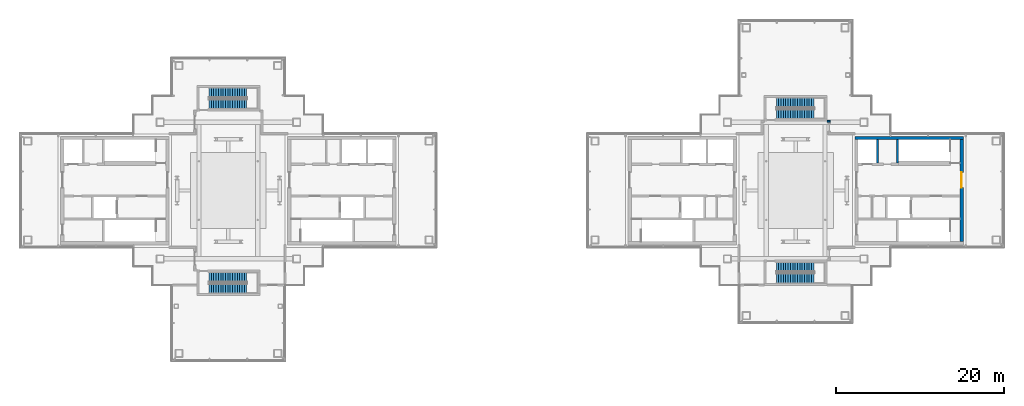
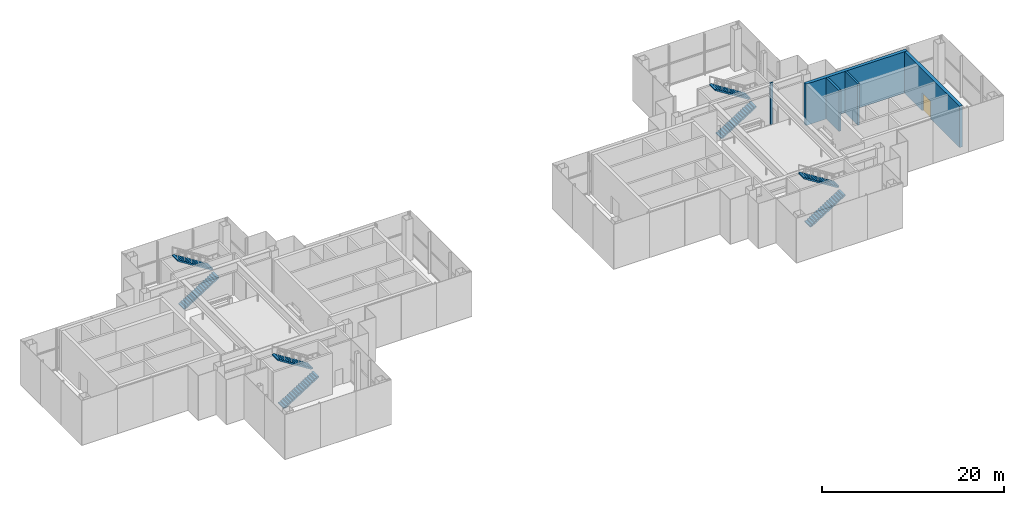
# One storey, part 12 of 17: 8 stair flights, 5 walls, 1 door, 1 opening, 4 elements without a shape of their own.
"""IFC4 building model written with IfcOpenShell, lengths in metres."""

import ifcopenshell
import ifcopenshell.guid

model = None  # the IFC model being written
_history = None  # IfcOwnerHistory: only IFC2X3 demands one
_inside = {}  # id of a spatial element -> (the spatial element, [elements in it])
_under = {}  # id of a project, library or spatial element -> (it, [spatial elements below it])
_declared = {}  # id of a project -> (the project, [libraries it declares])
_typed = {}  # id of a type object -> (the type object, [elements of that type])
_made_of = {}  # id of a material, layer set ... -> (it, [elements and type objects made of it])


def new_model(schema):
    """Start an empty IFC model of exactly this schema.

    Asked for "IFC4X3", IfcOpenShell would pick the latest addendum, in which some entities
    have other attributes; the version numbers below select the first issue.
    IFC2X3 requires an IfcOwnerHistory on every rooted entity: one is made here for all.
    """
    global model, _history
    if schema == "IFC4X3":
        model = ifcopenshell.file(schema_version=(4, 3, 0, 0))
    else:
        model = ifcopenshell.file(schema=schema)
    _inside.clear()
    _under.clear()
    _declared.clear()
    _typed.clear()
    _made_of.clear()
    _history = None
    if model.schema == "IFC2X3":
        org = make("IfcOrganization", Name="unknown")
        user = make(
            "IfcPersonAndOrganization",
            ThePerson=make("IfcPerson", FamilyName="unknown"),
            TheOrganization=org,
        )
        app = make(
            "IfcApplication",
            ApplicationDeveloper=org,
            Version="unknown",
            ApplicationFullName="unknown",
            ApplicationIdentifier="unknown",
        )
        _history = make(
            "IfcOwnerHistory",
            OwningUser=user,
            OwningApplication=app,
            ChangeAction="ADDED",
            CreationDate=0,
        )
    return model


def make(cls, **values):
    """One entity of the class cls with the attributes given. An attribute that is None is left unset."""
    return model.create_entity(
        cls, **{name: value for name, value in values.items() if value is not None}
    )


def rooted(cls, **values):
    """An entity with a GlobalId (a new one), such as an element, a storey or a relation."""
    return make(cls, GlobalId=ifcopenshell.guid.new(), OwnerHistory=_history, **values)


def si_unit(unit_type, name, prefix=None):
    """IfcSIUnit, for example si_unit("LENGTHUNIT", "METRE", prefix="MILLI")."""
    return make("IfcSIUnit", UnitType=unit_type, Prefix=prefix, Name=name)


def assignment(units):
    """IfcUnitAssignment: the units of a project."""
    return None if units is None else make("IfcUnitAssignment", Units=units)


def point(xyz):
    """IfcCartesianPoint."""
    return None if xyz is None else make("IfcCartesianPoint", Coordinates=xyz)


def direction(xyz):
    """IfcDirection."""
    return None if xyz is None else make("IfcDirection", DirectionRatios=xyz)


def frame(location, z_axis=None, x_axis=None):
    """IfcAxis2Placement3D, a coordinate frame: its origin and axes. An axis left out is left unset."""
    return make(
        "IfcAxis2Placement3D",
        Location=point(location),
        Axis=direction(z_axis),
        RefDirection=direction(x_axis),
    )


def frame_2d(location, x_axis=None):
    """IfcAxis2Placement2D, a coordinate frame in the plane: its origin and x axis."""
    return make(
        "IfcAxis2Placement2D", Location=point(location), RefDirection=direction(x_axis)
    )


def origin():
    """The frame at (0, 0, 0) with its axes left unset."""
    return frame((0.0, 0.0, 0.0))


def place(relative_to, where):
    """IfcLocalPlacement: puts the frame where relative to a parent placement (None: the world)."""
    return make(
        "IfcLocalPlacement", PlacementRelTo=relative_to, RelativePlacement=where
    )


def context(
    kind, dimensions, precision=None, world=None, true_north=None, identifier=None
):
    """IfcGeometricRepresentationContext, for example the 3D "Model" context."""
    return make(
        "IfcGeometricRepresentationContext",
        ContextIdentifier=identifier,
        ContextType=kind,
        CoordinateSpaceDimension=dimensions,
        Precision=precision,
        WorldCoordinateSystem=world,
        TrueNorth=true_north,
    )


def subcontext(parent, identifier, kind, view, scale=None):
    """IfcGeometricRepresentationSubContext, for example "Body" below "Model"."""
    return make(
        "IfcGeometricRepresentationSubContext",
        ContextIdentifier=identifier,
        ContextType=kind,
        ParentContext=parent,
        TargetScale=scale,
        TargetView=view,
    )


def project(units=None, contexts=None):
    """IfcProject with its units and contexts."""
    return rooted(
        "IfcProject",
        Name="project",
        RepresentationContexts=contexts,
        UnitsInContext=assignment(units),
    )


def spatial(cls, under=None, at=None, **own):
    """A site, building, storey or space (cls), placed at a placement, below another one or the project."""
    s = rooted(cls, ObjectPlacement=at, **own)
    if under is not None:
        _under.setdefault(under.id(), (under, []))[1].append(s)
    return s


def polyline(points):
    """IfcPolyline through the points."""
    return make("IfcPolyline", Points=[point(p) for p in points])


def profile(cls, at=None, kind="AREA", **sizes):
    """A parametric profile (cls). Its sizes go by their IFC names, for example OverallWidth=200.0."""
    return make(cls, ProfileType=kind, Position=at, **sizes)


def rectangle(**sizes):
    """IfcRectangleProfileDef."""
    return profile("IfcRectangleProfileDef", **sizes)


def outline(outer, holes=None, kind="AREA"):
    """IfcArbitraryClosedProfileDef: a profile drawn as a closed curve; with holes, ...WithVoids."""
    if holes is None:
        return make("IfcArbitraryClosedProfileDef", ProfileType=kind, OuterCurve=outer)
    return make(
        "IfcArbitraryProfileDefWithVoids",
        ProfileType=kind,
        OuterCurve=outer,
        InnerCurves=holes,
    )


def extrude(swept, where, along, depth):
    """IfcExtrudedAreaSolid: the profile swept, set in the frame where, extruded along a direction by depth."""
    return make(
        "IfcExtrudedAreaSolid",
        SweptArea=swept,
        Position=where,
        ExtrudedDirection=direction(along),
        Depth=depth,
    )


def shape(context_of_items, identifier, shape_type, items):
    """IfcShapeRepresentation: the items that make up one representation, for example the "Body"."""
    return make(
        "IfcShapeRepresentation",
        ContextOfItems=context_of_items,
        RepresentationIdentifier=identifier,
        RepresentationType=shape_type,
        Items=items,
    )


def material(Name=None, Category=None):
    """IfcMaterial."""
    return make("IfcMaterial", Name=Name, Category=Category)


def layer(
    of_material, thickness, ventilated=None, Name=None, Category=None, Priority=None
):
    """IfcMaterialLayer: one layer of a wall or slab, of a material (None: an air gap)."""
    return make(
        "IfcMaterialLayer",
        Material=of_material,
        LayerThickness=thickness,
        IsVentilated=ventilated,
        Name=Name,
        Category=Category,
        Priority=Priority,
    )


def layer_set(layers, Name=None):
    """IfcMaterialLayerSet."""
    return make("IfcMaterialLayerSet", MaterialLayers=layers, LayerSetName=Name)


def made_of(thing, what):
    """Note that an element or type object is made of a material, layer set ...; save() writes the relation."""
    if what is not None:
        _made_of.setdefault(what.id(), (what, []))[1].append(thing)
    return thing


def type_object(cls, material=None, **own):
    """A type object (cls), such as IfcWallType, which elements share."""
    return made_of(rooted(cls, **own), material)


def element(
    cls,
    number,
    at=None,
    inside=None,
    cuts=None,
    type_object=None,
    material=None,
    context=None,
    identifier="Body",
    shape_type=None,
    held_by="IfcProductDefinitionShape",
    body=None,
    shapes=None,
    **own,
):
    """One element of the class cls, such as IfcWall. Its Tag is "e" and its number.

    at: its placement. inside: the storey or other place that contains it. cuts: it is an
    opening in that element (IfcRelVoidsElement). A single representation is given by context,
    identifier, shape_type and body (its items); several are given by shapes. held_by: the class
    of the entity that holds the representations. save() writes the other relations.
    """
    e = rooted(cls, Tag="e%d" % number, ObjectPlacement=at, **own)
    if body is not None:
        shapes = [shape(context, identifier, shape_type, body)]
    if shapes is not None:
        e.Representation = make(held_by, Representations=shapes)
    if inside is not None:
        _inside.setdefault(inside.id(), (inside, []))[1].append(e)
    if cuts is not None:
        rooted(
            "IfcRelVoidsElement", RelatingBuildingElement=cuts, RelatedOpeningElement=e
        )
    if type_object is not None:
        _typed.setdefault(type_object.id(), (type_object, []))[1].append(e)
    return made_of(e, material)


def fill(opening, filler):
    """IfcRelFillsElement: the door or window that sits in an opening."""
    return rooted(
        "IfcRelFillsElement",
        RelatingOpeningElement=opening,
        RelatedBuildingElement=filler,
    )


def aggregate(whole, parts):
    """IfcRelAggregates: a whole, such as a stair, and the parts it consists of."""
    return rooted("IfcRelAggregates", RelatingObject=whole, RelatedObjects=parts)


def save(model, path):
    """Write the relations noted so far, then the file.

    IfcRelAggregates (storeys below a building ...), IfcRelContainedInSpatialStructure (elements
    in a storey), IfcRelDefinesByType, IfcRelAssociatesMaterial and IfcRelDeclares: one each for
    every whole, place, type object, material and project.
    """
    for whole, parts in _under.values():
        aggregate(whole, parts)
    for where, things in _inside.values():
        rooted(
            "IfcRelContainedInSpatialStructure",
            RelatedElements=things,
            RelatingStructure=where,
        )
    for kind, things in _typed.values():
        rooted("IfcRelDefinesByType", RelatedObjects=things, RelatingType=kind)
    for what, things in _made_of.values():
        rooted("IfcRelAssociatesMaterial", RelatedObjects=things, RelatingMaterial=what)
    for by, libraries in _declared.values():
        rooted("IfcRelDeclares", RelatingContext=by, RelatedDefinitions=libraries)
    model.write(path)


model = new_model("IFC4")

# Units and contexts
model_context = context("Model", 3, precision=1e-05, world=origin(), true_north=direction((0.0, 1.0)))
body_context = subcontext(model_context, "Body", "Model", "MODEL_VIEW")
ifc_project = project(units=[si_unit("LENGTHUNIT", "METRE"), si_unit("AREAUNIT", "SQUARE_METRE"), si_unit("VOLUMEUNIT", "CUBIC_METRE"), si_unit("PLANEANGLEUNIT", "RADIAN"), si_unit("MASSUNIT", "GRAM", prefix="KILO")], contexts=[model_context])

# Site, building, storey
site_placement = place(None, origin())
site = spatial("IfcSite", under=ifc_project, at=site_placement, CompositionType="ELEMENT")
building_placement = place(site_placement, origin())
building = spatial("IfcBuilding", under=site, at=building_placement, Name="Shamsa Quay Exchange Towers", CompositionType="ELEMENT")
storey_placement = place(building_placement, frame((0.0, 0.0, 278.300048828125)))
storey = spatial("IfcBuildingStorey", under=building, at=storey_placement, Name="L67", CompositionType="ELEMENT", Elevation=278.300048828125)

# Wall
ifc_material_1 = material(Name="Concrete C60/75", Category="concrete")
ifc_layer_1 = layer(ifc_material_1, 0.39990234375)
ifc_layer_set_1 = layer_set([ifc_layer_1], Name="CORE WALL 400 C60/75")
wall_type_1 = type_object("IfcWallType", Name="CORE WALL 400 C60/75", PredefinedType="SHEAR", material=ifc_layer_set_1)
wall_1_placement = place(storey_placement, frame((53.699951171875, 6.25, 0.0), z_axis=(0.0, 0.0, 1.0), x_axis=(-1.0, 0.0, 0.0)))
element("IfcWall", 1, at=wall_1_placement, inside=storey, type_object=wall_type_1, Name="Core wall T2B-L67-PN", PredefinedType="SHEAR", context=body_context, shape_type="SweptSolid", body=[
    extrude(rectangle(XDim=12.89990234375, YDim=0.39990234375, at=frame_2d((6.449951171875, 0.0))), origin(), (0.0, 0.0, 1.0), 5.550048828125),
])

# Wall, opening, door
wall_2_placement = place(storey_placement, frame((53.5, -6.050048828125, 0.0), z_axis=(0.0, 0.0, 1.0), x_axis=(0.0, 1.0, 0.0)))
wall_2 = element("IfcWall", 2, at=wall_2_placement, inside=storey, type_object=wall_type_1, Name="Core wall T2B-L67-PF", PredefinedType="SHEAR", context=body_context, shape_type="SweptSolid", body=[
    extrude(rectangle(XDim=12.10009765625, YDim=0.39990234375, at=frame_2d((6.050048828125, 0.0))), origin(), (0.0, 0.0, 1.0), 5.550048828125),
])
opening_placement = place(wall_2_placement, frame((6.39990234375, 0.0, 0.0)))
opening = element("IfcOpeningElement", 3, at=opening_placement, cuts=wall_2, Name="Opening T2B-L67-LBD01", PredefinedType="OPENING", context=body_context, shape_type="SweptSolid", body=[
    extrude(rectangle(XDim=1.800048828125, YDim=2.39990234375, at=frame_2d((0.89990234375, 1.199951171875))), frame((0.0, 0.2099609375, 0.0), z_axis=(0.0, -1.0, 0.0), x_axis=(1.0, 0.0, 0.0)), (0.0, 0.0, 1.0), 0.419921875),
])
ifc_material_2 = material(Name="Steel, fire rated", Category="steel")
door_type = type_object("IfcDoorType", Name="LIFT LOBBY DOOR PAIR 1800", OperationType="DOUBLE_DOOR_SINGLE_SWING", PredefinedType="DOOR", material=ifc_material_2)
door_placement = place(opening_placement, origin())
door = element("IfcDoor", 4, at=door_placement, inside=storey, type_object=door_type, Name="T2B-L67-LBD01", OperationType="DOUBLE_DOOR_SINGLE_SWING", OverallHeight=2.39990234375, OverallWidth=1.800048828125, PredefinedType="DOOR", context=body_context, shape_type="SweptSolid", body=[
    extrude(rectangle(XDim=1.800048828125, YDim=2.39990234375, at=frame_2d((0.89990234375, 1.199951171875))), frame((0.0, 0.02490234375, 0.0), z_axis=(0.0, -1.0, 0.0), x_axis=(1.0, 0.0, 0.0)), (0.0, 0.0, 1.0), 0.050048828125),
])
fill(opening, door)

# Walls
ifc_material_3 = material(Name="Gypsum board partition on metal studs")
ifc_layer_2 = layer(ifc_material_3, 0.199951171875)
ifc_layer_set_2 = layer_set([ifc_layer_2], Name="Partition 200 mm EI 120")
wall_type_2 = type_object("IfcWallType", Name="Partition 200 mm EI 120", PredefinedType="PARTITIONING", material=ifc_layer_set_2)
wall_3_placement = place(storey_placement, frame((37.5, 8.25, 0.0)))
element("IfcWall", 5, at=wall_3_placement, inside=storey, type_object=wall_type_2, Name="Partition T2-L67-W05", PredefinedType="PARTITIONING", context=body_context, shape_type="SweptSolid", body=[
    extrude(rectangle(XDim=0.35009765625, YDim=0.199951171875, at=frame_2d((0.175048828125, 0.0))), origin(), (0.0, 0.0, 1.0), 5.550048828125),
])
ifc_material_4 = material(Name="Concrete C50/60", Category="concrete")
ifc_layer_3 = layer(ifc_material_4, 0.25)
ifc_layer_set_3 = layer_set([ifc_layer_3], Name="SHAFT WALL 250 C50/60")
wall_type_3 = type_object("IfcWallType", Name="SHAFT WALL 250 C50/60", PredefinedType="SHEAR", material=ifc_layer_set_3)
for number, where, z_axis, x_axis, name in (
    (6, (45.875, 3.25, 0.0), (0.0, 0.0, 1.0), (0.0, 1.0, 0.0), "Shaft wall T2B-L67-STF2"),
    (7, (43.47509765625, 3.25, 0.0), (0.0, 0.0, 1.0), (0.0, 1.0, 0.0), "Shaft wall T2B-L67-D0"),
):
    element("IfcWall", number, at=place(storey_placement, frame(where, z_axis=z_axis, x_axis=x_axis)), inside=storey, type_object=wall_type_3, Name=name, PredefinedType="SHEAR", context=body_context, shape_type="SweptSolid", body=[
        extrude(rectangle(XDim=2.800048828125, YDim=0.25, at=frame_2d((1.39990234375, 0.0))), origin(), (0.0, 0.0, 1.0), 5.550048828125),
    ])

# Stair, stair flights
ifc_material_5 = material(Name="Concrete C40/50", Category="concrete")
stair_type = type_object("IfcStairType", Name="EXIT STAIR 34 RISERS 176 MM", PredefinedType="HALF_TURN_STAIR", material=ifc_material_5)
stair_1_placement = place(storey_placement, origin())
stair_1 = element("IfcStair", 8, at=stair_1_placement, inside=storey, type_object=stair_type, Name="L67 Roof access stair RS1", PredefinedType="HALF_TURN_STAIR")
stair_flight_type = type_object("IfcStairFlightType", Name="EXIT STAIR FLIGHT 17 RISERS 176 MM", PredefinedType="STRAIGHT", material=ifc_material_5)
stair_flight_1_placement = place(storey_placement, frame((-36.050048828125, 10.300048828125, 0.0)))
stair_flight_1 = element("IfcStairFlight", 9, at=stair_flight_1_placement, type_object=stair_flight_type, Name="RS1 flight 1", NumberOfRisers=17, NumberOfTreads=16, PredefinedType="STRAIGHT", RiserHeight=0.176470588, TreadLength=0.28, context=body_context, shape_type="SweptSolid", body=[
    extrude(outline(polyline([(0.0, 0.0), (0.0, 0.176513671875), (0.280029296875, 0.176513671875), (0.280029296875, 0.35302734375), (0.56005859375, 0.35302734375), (0.56005859375, 0.529296875), (0.840087890625, 0.529296875), (0.840087890625, 0.705810546875), (1.1201171875, 0.705810546875), (1.1201171875, 0.88232421875), (1.39990234375, 0.88232421875), (1.39990234375, 1.058837890625), (1.679931640625, 1.058837890625), (1.679931640625, 1.2353515625), (1.9599609375, 1.2353515625), (1.9599609375, 1.411865234375), (2.239990234375, 1.411865234375), (2.239990234375, 1.588134765625), (2.52001953125, 1.588134765625), (2.52001953125, 1.7646484375), (2.800048828125, 1.7646484375), (2.800048828125, 1.941162109375), (3.080078125, 1.941162109375), (3.080078125, 2.11767578125), (3.360107421875, 2.11767578125), (3.360107421875, 2.294189453125), (3.639892578125, 2.294189453125), (3.639892578125, 2.470703125), (3.919921875, 2.470703125), (3.919921875, 2.64697265625), (4.199951171875, 2.64697265625), (4.199951171875, 2.823486328125), (4.47998046875, 2.823486328125), (4.47998046875, 3.0), (4.47998046875, 2.658203125), (0.262451171875, 0.0), (0.0, 0.0)])), frame((0.0, 0.60009765625, 0.0), z_axis=(0.0, -1.0, 0.0), x_axis=(1.0, 0.0, 0.0)), (0.0, 0.0, 1.0), 1.199951171875),
])
stair_flight_2_placement = place(storey_placement, frame((-31.570068359375, 11.64990234375, 3.0), z_axis=(0.0, 0.0, 1.0), x_axis=(-1.0, 0.0, 0.0)))
stair_flight_2 = element("IfcStairFlight", 10, at=stair_flight_2_placement, type_object=stair_flight_type, Name="RS1 flight 2", NumberOfRisers=17, NumberOfTreads=16, PredefinedType="STRAIGHT", RiserHeight=0.176470588, TreadLength=0.28, context=body_context, shape_type="SweptSolid", body=[
    extrude(outline(polyline([(0.0, 0.0), (0.0, 0.176513671875), (0.280029296875, 0.176513671875), (0.280029296875, 0.35302734375), (0.56005859375, 0.35302734375), (0.56005859375, 0.529296875), (0.840087890625, 0.529296875), (0.840087890625, 0.705810546875), (1.1201171875, 0.705810546875), (1.1201171875, 0.88232421875), (1.39990234375, 0.88232421875), (1.39990234375, 1.058837890625), (1.679931640625, 1.058837890625), (1.679931640625, 1.2353515625), (1.9599609375, 1.2353515625), (1.9599609375, 1.411865234375), (2.239990234375, 1.411865234375), (2.239990234375, 1.588134765625), (2.52001953125, 1.588134765625), (2.52001953125, 1.7646484375), (2.800048828125, 1.7646484375), (2.800048828125, 1.941162109375), (3.080078125, 1.941162109375), (3.080078125, 2.11767578125), (3.360107421875, 2.11767578125), (3.360107421875, 2.294189453125), (3.639892578125, 2.294189453125), (3.639892578125, 2.470703125), (3.919921875, 2.470703125), (3.919921875, 2.64697265625), (4.199951171875, 2.64697265625), (4.199951171875, 2.823486328125), (4.47998046875, 2.823486328125), (4.47998046875, 3.0), (4.47998046875, 2.658203125), (0.262451171875, 0.0), (0.0, 0.0)])), frame((0.0, 0.60009765625, 0.0), z_axis=(0.0, -1.0, 0.0), x_axis=(1.0, 0.0, 0.0)), (0.0, 0.0, 1.0), 1.199951171875),
])
aggregate(stair_1, [stair_flight_1, stair_flight_2])

stair_2_placement = place(storey_placement, origin())
stair_2 = element("IfcStair", 11, at=stair_2_placement, inside=storey, type_object=stair_type, Name="L67 Roof access stair RS2", PredefinedType="HALF_TURN_STAIR")
stair_flight_3_placement = place(storey_placement, frame((-36.050048828125, -11.64990234375, 0.0)))
stair_flight_3 = element("IfcStairFlight", 12, at=stair_flight_3_placement, type_object=stair_flight_type, Name="RS2 flight 1", NumberOfRisers=17, NumberOfTreads=16, PredefinedType="STRAIGHT", RiserHeight=0.176470588, TreadLength=0.28, context=body_context, shape_type="SweptSolid", body=[
    extrude(outline(polyline([(0.0, 0.0), (0.0, 0.176513671875), (0.280029296875, 0.176513671875), (0.280029296875, 0.35302734375), (0.56005859375, 0.35302734375), (0.56005859375, 0.529296875), (0.840087890625, 0.529296875), (0.840087890625, 0.705810546875), (1.1201171875, 0.705810546875), (1.1201171875, 0.88232421875), (1.39990234375, 0.88232421875), (1.39990234375, 1.058837890625), (1.679931640625, 1.058837890625), (1.679931640625, 1.2353515625), (1.9599609375, 1.2353515625), (1.9599609375, 1.411865234375), (2.239990234375, 1.411865234375), (2.239990234375, 1.588134765625), (2.52001953125, 1.588134765625), (2.52001953125, 1.7646484375), (2.800048828125, 1.7646484375), (2.800048828125, 1.941162109375), (3.080078125, 1.941162109375), (3.080078125, 2.11767578125), (3.360107421875, 2.11767578125), (3.360107421875, 2.294189453125), (3.639892578125, 2.294189453125), (3.639892578125, 2.470703125), (3.919921875, 2.470703125), (3.919921875, 2.64697265625), (4.199951171875, 2.64697265625), (4.199951171875, 2.823486328125), (4.47998046875, 2.823486328125), (4.47998046875, 3.0), (4.47998046875, 2.658203125), (0.262451171875, 0.0), (0.0, 0.0)])), frame((0.0, 0.60009765625, 0.0), z_axis=(0.0, -1.0, 0.0), x_axis=(1.0, 0.0, 0.0)), (0.0, 0.0, 1.0), 1.199951171875),
])
stair_flight_4_placement = place(storey_placement, frame((-31.570068359375, -10.300048828125, 3.0), z_axis=(0.0, 0.0, 1.0), x_axis=(-1.0, 0.0, 0.0)))
stair_flight_4 = element("IfcStairFlight", 13, at=stair_flight_4_placement, type_object=stair_flight_type, Name="RS2 flight 2", NumberOfRisers=17, NumberOfTreads=16, PredefinedType="STRAIGHT", RiserHeight=0.176470588, TreadLength=0.28, context=body_context, shape_type="SweptSolid", body=[
    extrude(outline(polyline([(0.0, 0.0), (0.0, 0.176513671875), (0.280029296875, 0.176513671875), (0.280029296875, 0.35302734375), (0.56005859375, 0.35302734375), (0.56005859375, 0.529296875), (0.840087890625, 0.529296875), (0.840087890625, 0.705810546875), (1.1201171875, 0.705810546875), (1.1201171875, 0.88232421875), (1.39990234375, 0.88232421875), (1.39990234375, 1.058837890625), (1.679931640625, 1.058837890625), (1.679931640625, 1.2353515625), (1.9599609375, 1.2353515625), (1.9599609375, 1.411865234375), (2.239990234375, 1.411865234375), (2.239990234375, 1.588134765625), (2.52001953125, 1.588134765625), (2.52001953125, 1.7646484375), (2.800048828125, 1.7646484375), (2.800048828125, 1.941162109375), (3.080078125, 1.941162109375), (3.080078125, 2.11767578125), (3.360107421875, 2.11767578125), (3.360107421875, 2.294189453125), (3.639892578125, 2.294189453125), (3.639892578125, 2.470703125), (3.919921875, 2.470703125), (3.919921875, 2.64697265625), (4.199951171875, 2.64697265625), (4.199951171875, 2.823486328125), (4.47998046875, 2.823486328125), (4.47998046875, 3.0), (4.47998046875, 2.658203125), (0.262451171875, 0.0), (0.0, 0.0)])), frame((0.0, 0.60009765625, 0.0), z_axis=(0.0, -1.0, 0.0), x_axis=(1.0, 0.0, 0.0)), (0.0, 0.0, 1.0), 1.199951171875),
])
aggregate(stair_2, [stair_flight_3, stair_flight_4])

stair_3_placement = place(storey_placement, origin())
stair_3 = element("IfcStair", 14, at=stair_3_placement, inside=storey, type_object=stair_type, Name="L67 Roof access stair RS3", PredefinedType="HALF_TURN_STAIR")
stair_flight_5_placement = place(storey_placement, frame((31.449951171875, 9.10009765625, 0.0)))
stair_flight_5 = element("IfcStairFlight", 15, at=stair_flight_5_placement, type_object=stair_flight_type, Name="RS3 flight 1", NumberOfRisers=17, NumberOfTreads=16, PredefinedType="STRAIGHT", RiserHeight=0.176470588, TreadLength=0.28, context=body_context, shape_type="SweptSolid", body=[
    extrude(outline(polyline([(0.0, 0.0), (0.0, 0.176513671875), (0.280029296875, 0.176513671875), (0.280029296875, 0.35302734375), (0.56005859375, 0.35302734375), (0.56005859375, 0.529296875), (0.840087890625, 0.529296875), (0.840087890625, 0.705810546875), (1.1201171875, 0.705810546875), (1.1201171875, 0.88232421875), (1.39990234375, 0.88232421875), (1.39990234375, 1.058837890625), (1.679931640625, 1.058837890625), (1.679931640625, 1.2353515625), (1.9599609375, 1.2353515625), (1.9599609375, 1.411865234375), (2.239990234375, 1.411865234375), (2.239990234375, 1.588134765625), (2.52001953125, 1.588134765625), (2.52001953125, 1.7646484375), (2.800048828125, 1.7646484375), (2.800048828125, 1.941162109375), (3.080078125, 1.941162109375), (3.080078125, 2.11767578125), (3.360107421875, 2.11767578125), (3.360107421875, 2.294189453125), (3.639892578125, 2.294189453125), (3.639892578125, 2.470703125), (3.919921875, 2.470703125), (3.919921875, 2.64697265625), (4.199951171875, 2.64697265625), (4.199951171875, 2.823486328125), (4.47998046875, 2.823486328125), (4.47998046875, 3.0), (4.47998046875, 2.658203125), (0.262451171875, 0.0), (0.0, 0.0)])), frame((0.0, 0.60009765625, 0.0), z_axis=(0.0, -1.0, 0.0), x_axis=(1.0, 0.0, 0.0)), (0.0, 0.0, 1.0), 1.199951171875),
])
stair_flight_6_placement = place(storey_placement, frame((35.929931640625, 10.449951171875, 3.0), z_axis=(0.0, 0.0, 1.0), x_axis=(-1.0, 0.0, 0.0)))
stair_flight_6 = element("IfcStairFlight", 16, at=stair_flight_6_placement, type_object=stair_flight_type, Name="RS3 flight 2", NumberOfRisers=17, NumberOfTreads=16, PredefinedType="STRAIGHT", RiserHeight=0.176470588, TreadLength=0.28, context=body_context, shape_type="SweptSolid", body=[
    extrude(outline(polyline([(0.0, 0.0), (0.0, 0.176513671875), (0.280029296875, 0.176513671875), (0.280029296875, 0.35302734375), (0.56005859375, 0.35302734375), (0.56005859375, 0.529296875), (0.840087890625, 0.529296875), (0.840087890625, 0.705810546875), (1.1201171875, 0.705810546875), (1.1201171875, 0.88232421875), (1.39990234375, 0.88232421875), (1.39990234375, 1.058837890625), (1.679931640625, 1.058837890625), (1.679931640625, 1.2353515625), (1.9599609375, 1.2353515625), (1.9599609375, 1.411865234375), (2.239990234375, 1.411865234375), (2.239990234375, 1.588134765625), (2.52001953125, 1.588134765625), (2.52001953125, 1.7646484375), (2.800048828125, 1.7646484375), (2.800048828125, 1.941162109375), (3.080078125, 1.941162109375), (3.080078125, 2.11767578125), (3.360107421875, 2.11767578125), (3.360107421875, 2.294189453125), (3.639892578125, 2.294189453125), (3.639892578125, 2.470703125), (3.919921875, 2.470703125), (3.919921875, 2.64697265625), (4.199951171875, 2.64697265625), (4.199951171875, 2.823486328125), (4.47998046875, 2.823486328125), (4.47998046875, 3.0), (4.47998046875, 2.658203125), (0.262451171875, 0.0), (0.0, 0.0)])), frame((0.0, 0.60009765625, 0.0), z_axis=(0.0, -1.0, 0.0), x_axis=(1.0, 0.0, 0.0)), (0.0, 0.0, 1.0), 1.199951171875),
])
aggregate(stair_3, [stair_flight_5, stair_flight_6])

stair_4_placement = place(storey_placement, origin())
stair_4 = element("IfcStair", 17, at=stair_4_placement, inside=storey, type_object=stair_type, Name="L67 Roof access stair RS4", PredefinedType="HALF_TURN_STAIR")
stair_flight_7_placement = place(storey_placement, frame((31.449951171875, -10.449951171875, 0.0)))
stair_flight_7 = element("IfcStairFlight", 18, at=stair_flight_7_placement, type_object=stair_flight_type, Name="RS4 flight 1", NumberOfRisers=17, NumberOfTreads=16, PredefinedType="STRAIGHT", RiserHeight=0.176470588, TreadLength=0.28, context=body_context, shape_type="SweptSolid", body=[
    extrude(outline(polyline([(0.0, 0.0), (0.0, 0.176513671875), (0.280029296875, 0.176513671875), (0.280029296875, 0.35302734375), (0.56005859375, 0.35302734375), (0.56005859375, 0.529296875), (0.840087890625, 0.529296875), (0.840087890625, 0.705810546875), (1.1201171875, 0.705810546875), (1.1201171875, 0.88232421875), (1.39990234375, 0.88232421875), (1.39990234375, 1.058837890625), (1.679931640625, 1.058837890625), (1.679931640625, 1.2353515625), (1.9599609375, 1.2353515625), (1.9599609375, 1.411865234375), (2.239990234375, 1.411865234375), (2.239990234375, 1.588134765625), (2.52001953125, 1.588134765625), (2.52001953125, 1.7646484375), (2.800048828125, 1.7646484375), (2.800048828125, 1.941162109375), (3.080078125, 1.941162109375), (3.080078125, 2.11767578125), (3.360107421875, 2.11767578125), (3.360107421875, 2.294189453125), (3.639892578125, 2.294189453125), (3.639892578125, 2.470703125), (3.919921875, 2.470703125), (3.919921875, 2.64697265625), (4.199951171875, 2.64697265625), (4.199951171875, 2.823486328125), (4.47998046875, 2.823486328125), (4.47998046875, 3.0), (4.47998046875, 2.658203125), (0.262451171875, 0.0), (0.0, 0.0)])), frame((0.0, 0.60009765625, 0.0), z_axis=(0.0, -1.0, 0.0), x_axis=(1.0, 0.0, 0.0)), (0.0, 0.0, 1.0), 1.199951171875),
])
stair_flight_8_placement = place(storey_placement, frame((35.929931640625, -9.10009765625, 3.0), z_axis=(0.0, 0.0, 1.0), x_axis=(-1.0, 0.0, 0.0)))
stair_flight_8 = element("IfcStairFlight", 19, at=stair_flight_8_placement, type_object=stair_flight_type, Name="RS4 flight 2", NumberOfRisers=17, NumberOfTreads=16, PredefinedType="STRAIGHT", RiserHeight=0.176470588, TreadLength=0.28, context=body_context, shape_type="SweptSolid", body=[
    extrude(outline(polyline([(0.0, 0.0), (0.0, 0.176513671875), (0.280029296875, 0.176513671875), (0.280029296875, 0.35302734375), (0.56005859375, 0.35302734375), (0.56005859375, 0.529296875), (0.840087890625, 0.529296875), (0.840087890625, 0.705810546875), (1.1201171875, 0.705810546875), (1.1201171875, 0.88232421875), (1.39990234375, 0.88232421875), (1.39990234375, 1.058837890625), (1.679931640625, 1.058837890625), (1.679931640625, 1.2353515625), (1.9599609375, 1.2353515625), (1.9599609375, 1.411865234375), (2.239990234375, 1.411865234375), (2.239990234375, 1.588134765625), (2.52001953125, 1.588134765625), (2.52001953125, 1.7646484375), (2.800048828125, 1.7646484375), (2.800048828125, 1.941162109375), (3.080078125, 1.941162109375), (3.080078125, 2.11767578125), (3.360107421875, 2.11767578125), (3.360107421875, 2.294189453125), (3.639892578125, 2.294189453125), (3.639892578125, 2.470703125), (3.919921875, 2.470703125), (3.919921875, 2.64697265625), (4.199951171875, 2.64697265625), (4.199951171875, 2.823486328125), (4.47998046875, 2.823486328125), (4.47998046875, 3.0), (4.47998046875, 2.658203125), (0.262451171875, 0.0), (0.0, 0.0)])), frame((0.0, 0.60009765625, 0.0), z_axis=(0.0, -1.0, 0.0), x_axis=(1.0, 0.0, 0.0)), (0.0, 0.0, 1.0), 1.199951171875),
])
aggregate(stair_4, [stair_flight_7, stair_flight_8])

save(model, "model.ifc")
